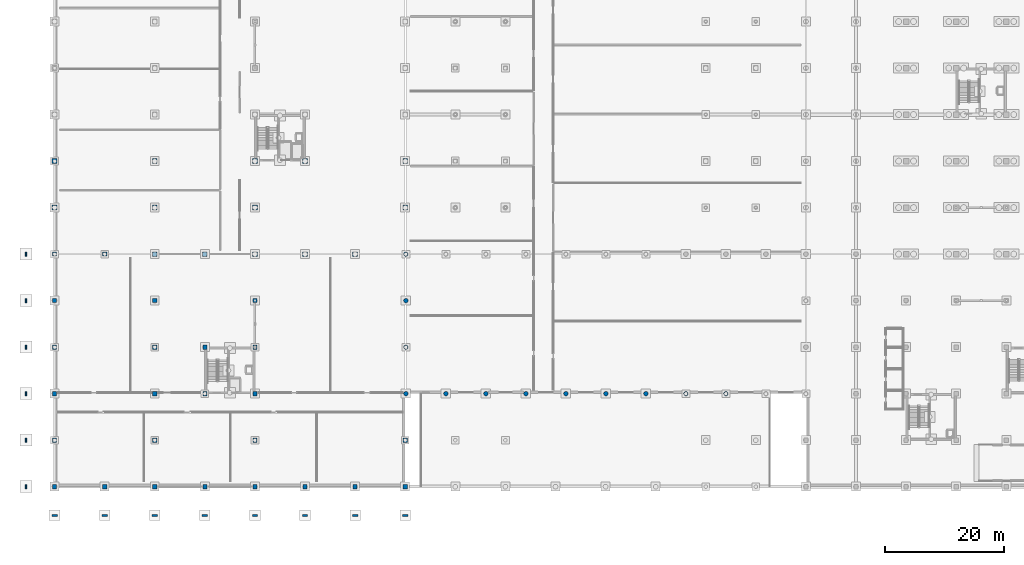
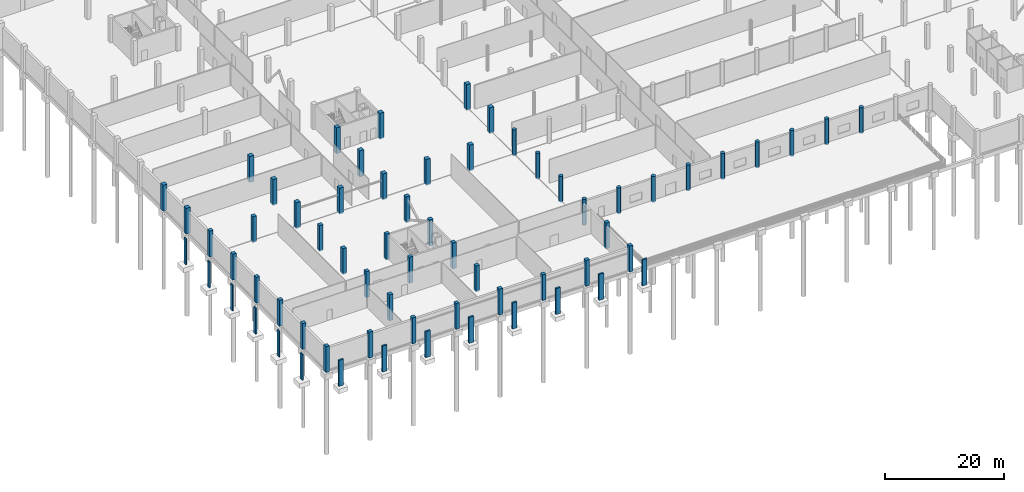
# One storey, part 10 of 48: 65 columns.
"""IFC4 building model written with IfcOpenShell, lengths in metres."""

from ifc_helpers import new_model, si_unit, direction, frame, origin, origin_2d, place, context, subcontext, project, spatial, rectangle, circle, extrude, material, material_profile, profile_set, type_object, element, save


model = new_model("IFC4")

# Units and contexts
model_context = context("Model", 3, precision=1e-05, world=origin(), true_north=direction((0.0, 1.0)))
body_context = subcontext(model_context, "Body", "Model", "MODEL_VIEW")
ifc_project = project(units=[si_unit("LENGTHUNIT", "METRE"), si_unit("AREAUNIT", "SQUARE_METRE"), si_unit("VOLUMEUNIT", "CUBIC_METRE"), si_unit("PLANEANGLEUNIT", "RADIAN"), si_unit("MASSUNIT", "GRAM", prefix="KILO")], contexts=[model_context])

# Site, building, storey
site_placement = place(None, origin())
site = spatial("IfcSite", under=ifc_project, at=site_placement, CompositionType="ELEMENT")
building_placement = place(site_placement, origin())
building = spatial("IfcBuilding", under=site, at=building_placement, Name="Nabrawat Pavilion Hospital", CompositionType="ELEMENT")
storey_placement = place(building_placement, frame((0.0, 0.0, -5.10009765625)))
storey = spatial("IfcBuildingStorey", under=building, at=storey_placement, Name="B1", CompositionType="ELEMENT", Elevation=-5.10009765625)

# Columns
ifc_material_1 = material(Name="Precast concrete C40/50", Category="concrete")
ifc_material_profile_1 = material_profile(ifc_material_1, rectangle(XDim=0.219970703125, YDim=0.64990234375, at=origin_2d()), Name="PC 220x650")
ifc_profile_set_1 = profile_set([ifc_material_profile_1], Name="Precast concrete C40/50")
column_type_1 = type_object("IfcColumnType", Name="Ambulance Canopy Precast Pilaster 220x650", PredefinedType="PILASTER", material=ifc_profile_set_1)
for number, where, z_axis, x_axis, name in (
    (1, (-4.800048828125, 0.0, -0.219970703125), (0.0, 0.0, 1.0), (1.0, 0.0, 0.0), "B1 Colonnade Precast Pilaster PIL-W-A"),
    (2, (-4.800048828125, 7.800048828125, -0.219970703125), (0.0, 0.0, 1.0), (1.0, 0.0, 0.0), "B1 Colonnade Precast Pilaster PIL-W-B"),
    (3, (-4.800048828125, 15.60009765625, -0.219970703125), (0.0, 0.0, 1.0), (1.0, 0.0, 0.0), "B1 Colonnade Precast Pilaster PIL-W-C"),
    (4, (-4.800048828125, 23.39990234375, -0.219970703125), (0.0, 0.0, 1.0), (1.0, 0.0, 0.0), "B1 Colonnade Precast Pilaster PIL-W-D"),
    (5, (-4.800048828125, 31.199951171875, -0.219970703125), (0.0, 0.0, 1.0), (1.0, 0.0, 0.0), "B1 Colonnade Precast Pilaster PIL-W-E"),
    (6, (-4.800048828125, 39.0, -0.219970703125), (0.0, 0.0, 1.0), (1.0, 0.0, 0.0), "B1 Colonnade Precast Pilaster PIL-W-F1"),
):
    element("IfcColumn", number, at=place(storey_placement, frame(where, z_axis=z_axis, x_axis=x_axis)), inside=storey, type_object=column_type_1, Name=name, PredefinedType="PILASTER", context=body_context, shape_type="SweptSolid", body=[
        extrude(rectangle(XDim=0.219970703125, YDim=0.64990234375, at=origin_2d()), origin(), (0.0, 0.0, 1.0), 5.320068359375),
    ])
ifc_material_2 = material(Name="Concrete C40/50", Category="concrete")
ifc_material_profile_2 = material_profile(ifc_material_2, rectangle(XDim=0.699951171875, YDim=0.699951171875, at=origin_2d()), Name="RC 700x700")
ifc_profile_set_2 = profile_set([ifc_material_profile_2], Name="Concrete C40/50")
column_type_2 = type_object("IfcColumnType", Name="Mid-Tier Ward RC Column 700x700", PredefinedType="COLUMN", material=ifc_profile_set_2)
for number, where, z_axis, x_axis, name in (
    (7, (0.0, 0.0, -0.219970703125), (0.0, 0.0, 1.0), (1.0, 0.0, 0.0), "B1 Structural Column G-1-A"),
    (8, (0.0, 7.800048828125, -0.219970703125), (0.0, 0.0, 1.0), (1.0, 0.0, 0.0), "B1 Structural Column G-1-B"),
    (9, (0.0, 15.60009765625, -0.219970703125), (0.0, 0.0, 1.0), (1.0, 0.0, 0.0), "B1 Structural Column G-1-C"),
    (10, (0.0, 23.39990234375, -0.219970703125), (0.0, 0.0, 1.0), (1.0, 0.0, 0.0), "B1 Structural Column G-1-D"),
    (11, (0.0, 31.199951171875, -0.219970703125), (0.0, 0.0, 1.0), (1.0, 0.0, 0.0), "B1 Structural Column G-1-E"),
    (12, (0.0, 39.0, -0.219970703125), (0.0, 0.0, 1.0), (1.0, 0.0, 0.0), "B1 Structural Column G-1-F1"),
    (13, (8.39990234375, 0.0, -0.219970703125), (0.0, 0.0, 1.0), (1.0, 0.0, 0.0), "B1 Structural Column G-2-A"),
    (14, (8.39990234375, 39.0, -0.219970703125), (0.0, 0.0, 1.0), (1.0, 0.0, 0.0), "B1 Structural Column G-2-F1"),
    (15, (16.800048828125, 0.0, -0.219970703125), (0.0, 0.0, 1.0), (1.0, 0.0, 0.0), "B1 Structural Column G-3-A"),
    (16, (16.800048828125, 7.800048828125, -0.219970703125), (0.0, 0.0, 1.0), (1.0, 0.0, 0.0), "B1 Structural Column G-3-B"),
    (17, (16.800048828125, 15.60009765625, -0.219970703125), (0.0, 0.0, 1.0), (1.0, 0.0, 0.0), "B1 Structural Column G-3-C"),
    (18, (16.800048828125, 23.39990234375, -0.219970703125), (0.0, 0.0, 1.0), (1.0, 0.0, 0.0), "B1 Structural Column G-3-D"),
    (19, (16.800048828125, 31.199951171875, -0.219970703125), (0.0, 0.0, 1.0), (1.0, 0.0, 0.0), "B1 Structural Column G-3-E"),
    (20, (25.199951171875, 0.0, -0.219970703125), (0.0, 0.0, 1.0), (1.0, 0.0, 0.0), "B1 Structural Column G-4-A"),
    (21, (25.199951171875, 15.60009765625, -0.219970703125), (0.0, 0.0, 1.0), (1.0, 0.0, 0.0), "B1 Structural Column G-4-C"),
    (22, (25.199951171875, 23.39990234375, -0.219970703125), (0.0, 0.0, 1.0), (1.0, 0.0, 0.0), "B1 Structural Column G-4-D"),
    (23, (33.60009765625, 0.0, -0.219970703125), (0.0, 0.0, 1.0), (1.0, 0.0, 0.0), "B1 Structural Column G-5-A"),
    (24, (33.60009765625, 7.800048828125, -0.219970703125), (0.0, 0.0, 1.0), (1.0, 0.0, 0.0), "B1 Structural Column G-5-B"),
    (25, (33.60009765625, 15.60009765625, -0.219970703125), (0.0, 0.0, 1.0), (1.0, 0.0, 0.0), "B1 Structural Column G-5-C"),
    (26, (33.60009765625, 23.39990234375, -0.219970703125), (0.0, 0.0, 1.0), (1.0, 0.0, 0.0), "B1 Structural Column G-5-D"),
    (27, (33.60009765625, 31.199951171875, -0.219970703125), (0.0, 0.0, 1.0), (1.0, 0.0, 0.0), "B1 Structural Column G-5-E"),
    (28, (42.0, 0.0, -0.219970703125), (0.0, 0.0, 1.0), (1.0, 0.0, 0.0), "B1 Structural Column G-6-A"),
    (29, (50.39990234375, 0.0, -0.219970703125), (0.0, 0.0, 1.0), (1.0, 0.0, 0.0), "B1 Structural Column G-7-A"),
    (30, (58.800048828125, 0.0, -0.219970703125), (0.0, 0.0, 1.0), (1.0, 0.0, 0.0), "B1 Structural Column G-8A-A"),
    (31, (58.800048828125, 7.800048828125, -0.219970703125), (0.0, 0.0, 1.0), (1.0, 0.0, 0.0), "B1 Structural Column G-8A-B"),
):
    element("IfcColumn", number, at=place(storey_placement, frame(where, z_axis=z_axis, x_axis=x_axis)), inside=storey, type_object=column_type_2, Name=name, PredefinedType="COLUMN", context=body_context, shape_type="SweptSolid", body=[
        extrude(rectangle(XDim=0.699951171875, YDim=0.699951171875, at=origin_2d()), origin(), (0.0, 0.0, 1.0), 5.320068359375),
    ])
ifc_material_profile_3 = material_profile(ifc_material_2, circle(Radius=0.375, at=origin_2d()), Name="RC D750")
ifc_profile_set_3 = profile_set([ifc_material_profile_3], Name="Concrete C40/50")
column_type_3 = type_object("IfcColumnType", Name="Pavilion Base Composite Column D750", PredefinedType="COLUMN", material=ifc_profile_set_3)
for number, where, z_axis, x_axis, name in (
    (32, (58.919921875, 39.0, -0.219970703125), (0.0, 0.0, 1.0), (1.0, 0.0, 0.0), "B1 Expressed Pavilion Column MH-N00"),
    (33, (58.919921875, 15.60009765625, -0.219970703125), (0.0, 0.0, 1.0), (1.0, 0.0, 0.0), "B1 Expressed Pavilion Column MH-S00"),
    (34, (65.6279296875, 15.60009765625, -0.219970703125), (0.0, 0.0, 1.0), (1.0, 0.0, 0.0), "B1 Expressed Pavilion Column MH-S01"),
    (35, (72.3359375, 15.60009765625, -0.219970703125), (0.0, 0.0, 1.0), (1.0, 0.0, 0.0), "B1 Expressed Pavilion Column MH-S02"),
    (36, (79.0439453125, 15.60009765625, -0.219970703125), (0.0, 0.0, 1.0), (1.0, 0.0, 0.0), "B1 Expressed Pavilion Column MH-S03"),
    (37, (85.751953125, 15.60009765625, -0.219970703125), (0.0, 0.0, 1.0), (1.0, 0.0, 0.0), "B1 Expressed Pavilion Column MH-S04"),
    (38, (92.4599609375, 15.60009765625, -0.219970703125), (0.0, 0.0, 1.0), (1.0, 0.0, 0.0), "B1 Expressed Pavilion Column MH-S05"),
    (39, (99.16796875, 15.60009765625, -0.219970703125), (0.0, 0.0, 1.0), (1.0, 0.0, 0.0), "B1 Expressed Pavilion Column MH-S06"),
    (40, (105.8759765625, 15.60009765625, -0.219970703125), (0.0, 0.0, 1.0), (1.0, 0.0, 0.0), "B1 Expressed Pavilion Column MH-S07"),
    (41, (112.583984375, 15.60009765625, -0.219970703125), (0.0, 0.0, 1.0), (1.0, 0.0, 0.0), "B1 Expressed Pavilion Column MH-S08"),
    (42, (58.919921875, 23.39990234375, -0.219970703125), (0.0, 0.0, 1.0), (1.0, 0.0, 0.0), "B1 Expressed Pavilion Column MH-W01"),
    (43, (58.919921875, 31.199951171875, -0.219970703125), (0.0, 0.0, 1.0), (1.0, 0.0, 0.0), "B1 Expressed Pavilion Column MH-W02"),
):
    element("IfcColumn", number, at=place(storey_placement, frame(where, z_axis=z_axis, x_axis=x_axis)), inside=storey, type_object=column_type_3, Name=name, PredefinedType="COLUMN", context=body_context, shape_type="SweptSolid", body=[
        extrude(circle(Radius=0.375, at=origin_2d()), origin(), (0.0, 0.0, 1.0), 5.320068359375),
    ])
ifc_material_profile_4 = material_profile(ifc_material_2, rectangle(XDim=0.800048828125, YDim=0.800048828125, at=origin_2d()), Name="RC 800x800")
ifc_profile_set_4 = profile_set([ifc_material_profile_4], Name="Concrete C40/50")
column_type_4 = type_object("IfcColumnType", Name="Podium Primary RC Column 800x800", PredefinedType="COLUMN", material=ifc_profile_set_4)
for number, where, z_axis, x_axis, name in (
    (44, (0.0, 46.800048828125, -0.219970703125), (0.0, 0.0, 1.0), (1.0, 0.0, 0.0), "B1 Structural Column G-1-G"),
    (45, (0.0, 54.60009765625, -0.219970703125), (0.0, 0.0, 1.0), (1.0, 0.0, 0.0), "B1 Structural Column G-1-H"),
    (46, (16.800048828125, 39.0, -0.219970703125), (0.0, 0.0, 1.0), (1.0, 0.0, 0.0), "B1 Structural Column G-3-F1"),
    (47, (16.800048828125, 46.800048828125, -0.219970703125), (0.0, 0.0, 1.0), (1.0, 0.0, 0.0), "B1 Structural Column G-3-G"),
    (48, (16.800048828125, 54.60009765625, -0.219970703125), (0.0, 0.0, 1.0), (1.0, 0.0, 0.0), "B1 Structural Column G-3-H"),
    (49, (25.199951171875, 39.0, -0.219970703125), (0.0, 0.0, 1.0), (1.0, 0.0, 0.0), "B1 Structural Column G-4-F1"),
    (50, (33.60009765625, 39.0, -0.219970703125), (0.0, 0.0, 1.0), (1.0, 0.0, 0.0), "B1 Structural Column G-5-F1"),
    (51, (33.60009765625, 46.800048828125, -0.219970703125), (0.0, 0.0, 1.0), (1.0, 0.0, 0.0), "B1 Structural Column G-5-G"),
    (52, (33.60009765625, 54.60009765625, -0.219970703125), (0.0, 0.0, 1.0), (1.0, 0.0, 0.0), "B1 Structural Column G-5-H"),
    (53, (42.0, 39.0, -0.219970703125), (0.0, 0.0, 1.0), (1.0, 0.0, 0.0), "B1 Structural Column G-6-F1"),
    (54, (42.0, 54.60009765625, -0.219970703125), (0.0, 0.0, 1.0), (1.0, 0.0, 0.0), "B1 Structural Column G-6-H"),
    (55, (50.39990234375, 39.0, -0.219970703125), (0.0, 0.0, 1.0), (1.0, 0.0, 0.0), "B1 Structural Column G-7-F1"),
    (56, (58.800048828125, 46.800048828125, -0.219970703125), (0.0, 0.0, 1.0), (1.0, 0.0, 0.0), "B1 Structural Column G-8A-G"),
    (57, (58.800048828125, 54.60009765625, -0.219970703125), (0.0, 0.0, 1.0), (1.0, 0.0, 0.0), "B1 Structural Column G-8A-H"),
):
    element("IfcColumn", number, at=place(storey_placement, frame(where, z_axis=z_axis, x_axis=x_axis)), inside=storey, type_object=column_type_4, Name=name, PredefinedType="COLUMN", context=body_context, shape_type="SweptSolid", body=[
        extrude(rectangle(XDim=0.800048828125, YDim=0.800048828125, at=origin_2d()), origin(), (0.0, 0.0, 1.0), 5.320068359375),
    ])
ifc_material_profile_5 = material_profile(ifc_material_1, rectangle(XDim=0.35009765625, YDim=0.89990234375, at=origin_2d()), Name="PC 350x900")
ifc_profile_set_5 = profile_set([ifc_material_profile_5], Name="Precast concrete C40/50")
column_type_5 = type_object("IfcColumnType", Name="South Colonnade Precast Pilaster 350x900", PredefinedType="PILASTER", material=ifc_profile_set_5)
for number, where, z_axis, x_axis, name in (
    (58, (0.0, -4.800048828125, -0.219970703125), (0.0, 0.0, 1.0), (0.0, 1.0, 0.0), "B1 Colonnade Precast Pilaster PIL-S-1"),
    (59, (8.39990234375, -4.800048828125, -0.219970703125), (0.0, 0.0, 1.0), (0.0, 1.0, 0.0), "B1 Colonnade Precast Pilaster PIL-S-2"),
    (60, (16.800048828125, -4.800048828125, -0.219970703125), (0.0, 0.0, 1.0), (0.0, 1.0, 0.0), "B1 Colonnade Precast Pilaster PIL-S-3"),
    (61, (25.199951171875, -4.800048828125, -0.219970703125), (0.0, 0.0, 1.0), (0.0, 1.0, 0.0), "B1 Colonnade Precast Pilaster PIL-S-4"),
    (62, (33.60009765625, -4.800048828125, -0.219970703125), (0.0, 0.0, 1.0), (0.0, 1.0, 0.0), "B1 Colonnade Precast Pilaster PIL-S-5"),
    (63, (42.0, -4.800048828125, -0.219970703125), (0.0, 0.0, 1.0), (0.0, 1.0, 0.0), "B1 Colonnade Precast Pilaster PIL-S-6"),
    (64, (50.39990234375, -4.800048828125, -0.219970703125), (0.0, 0.0, 1.0), (0.0, 1.0, 0.0), "B1 Colonnade Precast Pilaster PIL-S-7"),
    (65, (58.800048828125, -4.800048828125, -0.219970703125), (0.0, 0.0, 1.0), (0.0, 1.0, 0.0), "B1 Colonnade Precast Pilaster PIL-S-8A"),
):
    element("IfcColumn", number, at=place(storey_placement, frame(where, z_axis=z_axis, x_axis=x_axis)), inside=storey, type_object=column_type_5, Name=name, PredefinedType="PILASTER", context=body_context, shape_type="SweptSolid", body=[
        extrude(rectangle(XDim=0.35009765625, YDim=0.89990234375, at=origin_2d()), origin(), (0.0, 0.0, 1.0), 5.320068359375),
    ])

save(model, "model.ifc")
